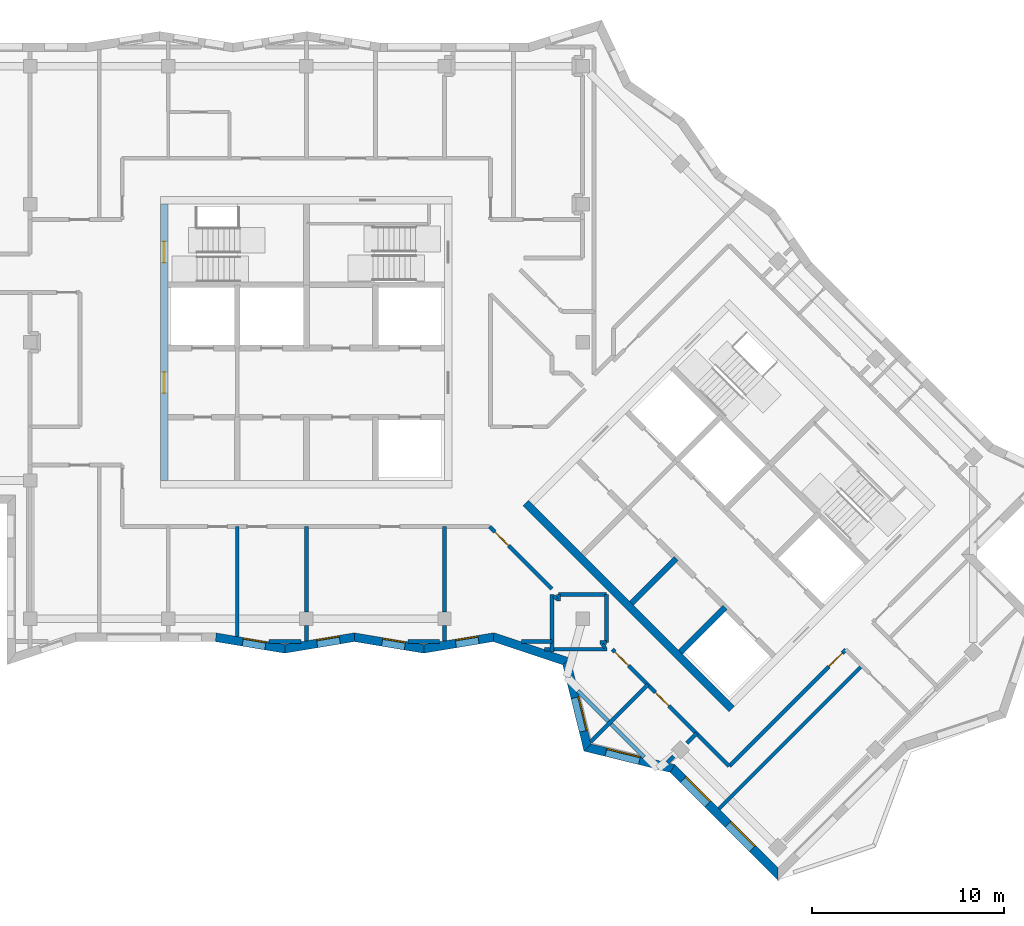
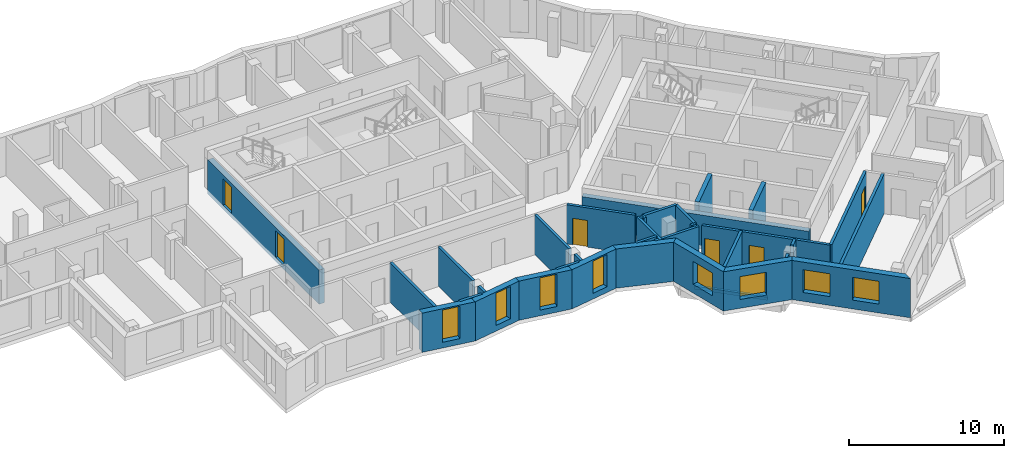
# One storey, part 3 of 12: 36 walls, 8 windows, 6 doors, 14 openings.
"""IFC4 building model written with IfcOpenShell, lengths in metres."""

from ifc_helpers import new_model, si_unit, direction, frame, frame_2d, origin, place, context, subcontext, project, spatial, polyline, rectangle, outline, extrude, material, layer, layer_set, type_object, element, fill, save


model = new_model("IFC4")

# Units and contexts
model_context = context("Model", 3, precision=1e-05, world=origin(), true_north=direction((0.0, 1.0)))
body_context = subcontext(model_context, "Body", "Model", "MODEL_VIEW")
ifc_project = project(units=[si_unit("LENGTHUNIT", "METRE"), si_unit("AREAUNIT", "SQUARE_METRE"), si_unit("VOLUMEUNIT", "CUBIC_METRE"), si_unit("PLANEANGLEUNIT", "RADIAN"), si_unit("MASSUNIT", "GRAM", prefix="KILO")], contexts=[model_context])

# Site, building, storey
site_placement = place(None, origin())
site = spatial("IfcSite", under=ifc_project, at=site_placement, CompositionType="ELEMENT")
building_placement = place(site_placement, origin())
building = spatial("IfcBuilding", under=site, at=building_placement, Name="Windrow Commons", CompositionType="ELEMENT")
storey_placement = place(building_placement, frame((0.0, 0.0, 277.8)))
storey = spatial("IfcBuildingStorey", under=building, at=storey_placement, Name="L76", CompositionType="ELEMENT", Elevation=277.8)

# Wall, opening, window
ifc_material_1 = material(Name="Brick masonry, red clay brick", Category="masonry")
ifc_layer_1 = layer(ifc_material_1, 0.45)
ifc_layer_set_1 = layer_set([ifc_layer_1], Name="Brick facade wall 450")
wall_type_1 = type_object("IfcWallType", Name="Brick facade wall 450", PredefinedType="SOLIDWALL", material=ifc_layer_set_1)
wall_1_placement = place(storey_placement, frame((60.0782, 42.225, 0.0), z_axis=(0.0, 0.0, 1.0), x_axis=(0.9864079855, -0.1643145949, 0.0)))
wall_1 = element("IfcWall", 1, at=wall_1_placement, inside=storey, type_object=wall_type_1, Name="Brick facade wall L76 34", PredefinedType="SOLIDWALL", context=body_context, shape_type="SweptSolid", body=[
    extrude(outline(polyline([(0.0186, -0.225), (3.6884, -0.225), (3.6134, 0.225), (-0.0186, 0.225), (0.0186, -0.225)])), origin(), (0.0, 0.0, 1.0), 3.1),
])
opening_1_placement = place(wall_1_placement, frame((1.4253, 0.0, 0.45)))
opening_1 = element("IfcOpeningElement", 2, at=opening_1_placement, cuts=wall_1, Name="Opening W7F", PredefinedType="OPENING", context=body_context, shape_type="SweptSolid", body=[
    extrude(rectangle(XDim=1.2, YDim=2.55, at=frame_2d((0.6, 1.275))), frame((0.0, 0.235, 0.0), z_axis=(0.0, -1.0, 0.0), x_axis=(1.0, 0.0, 0.0)), (0.0, 0.0, 1.0), 0.47),
])
ifc_material_2 = material(Name="Clear float glass in anodised aluminium frame", Category="aluminium")
window_type_1 = type_object("IfcWindowType", Name="Window W7 notch 1200x2550", PartitioningType="SINGLE_PANEL", PredefinedType="WINDOW", material=ifc_material_2)
window_1_placement = place(opening_1_placement, origin())
window_1 = element("IfcWindow", 3, at=window_1_placement, inside=storey, type_object=window_type_1, Name="Window L76 34.1", OverallHeight=2.55, OverallWidth=1.2, PartitioningType="SINGLE_PANEL", PredefinedType="WINDOW", context=body_context, shape_type="SweptSolid", body=[
    extrude(rectangle(XDim=1.2, YDim=2.55, at=frame_2d((0.6, 1.275))), frame((0.0, 0.205, 0.0), z_axis=(0.0, -1.0, 0.0), x_axis=(1.0, 0.0, 0.0)), (0.0, 0.0, 1.0), 0.06),
])
fill(opening_1, window_1)

wall_2_placement = place(storey_placement, frame((63.6795, 41.6251, 0.0), z_axis=(0.0, 0.0, 1.0), x_axis=(0.9864071775, 0.1643194453, 0.0)))
wall_2 = element("IfcWall", 4, at=wall_2_placement, inside=storey, type_object=wall_type_1, Name="Brick facade wall L76 35", PredefinedType="SOLIDWALL", context=body_context, shape_type="SweptSolid", body=[
    extrude(outline(polyline([(-0.0375, -0.225), (3.6323, -0.225), (3.7072, 0.225), (0.0375, 0.225), (-0.0375, -0.225)])), origin(), (0.0, 0.0, 1.0), 3.1),
])
opening_2_placement = place(wall_2_placement, frame((1.7029, 0.0, 0.45)))
opening_2 = element("IfcOpeningElement", 5, at=opening_2_placement, cuts=wall_2, Name="Opening W7F", PredefinedType="OPENING", context=body_context, shape_type="SweptSolid", body=[
    extrude(rectangle(XDim=1.2, YDim=2.55, at=frame_2d((0.6, 1.275))), frame((0.0, 0.235, 0.0), z_axis=(0.0, -1.0, 0.0), x_axis=(1.0, 0.0, 0.0)), (0.0, 0.0, 1.0), 0.47),
])
window_2_placement = place(opening_2_placement, origin())
window_2 = element("IfcWindow", 6, at=window_2_placement, inside=storey, type_object=window_type_1, Name="Window L76 35.1", OverallHeight=2.55, OverallWidth=1.2, PartitioningType="SINGLE_PANEL", PredefinedType="WINDOW", context=body_context, shape_type="SweptSolid", body=[
    extrude(rectangle(XDim=1.2, YDim=2.55, at=frame_2d((0.6, 1.275))), frame((0.0, 0.205, 0.0), z_axis=(0.0, -1.0, 0.0), x_axis=(1.0, 0.0, 0.0)), (0.0, 0.0, 1.0), 0.06),
])
fill(opening_2, window_2)

wall_3_placement = place(storey_placement, frame((67.2993, 42.2281, 0.0), z_axis=(0.0, 0.0, 1.0), x_axis=(0.9864079133, -0.1643150285, 0.0)))
wall_3 = element("IfcWall", 7, at=wall_3_placement, inside=storey, type_object=wall_type_1, Name="Brick facade wall L76 36", PredefinedType="SOLIDWALL", context=body_context, shape_type="SweptSolid", body=[
    extrude(outline(polyline([(0.0375, -0.225), (3.7072, -0.225), (3.6323, 0.225), (-0.0375, 0.225), (0.0375, -0.225)])), origin(), (0.0, 0.0, 1.0), 3.1),
])
opening_3_placement = place(wall_3_placement, frame((1.4741, 0.0, 0.45)))
opening_3 = element("IfcOpeningElement", 8, at=opening_3_placement, cuts=wall_3, Name="Opening W7F", PredefinedType="OPENING", context=body_context, shape_type="SweptSolid", body=[
    extrude(rectangle(XDim=1.2, YDim=2.55, at=frame_2d((0.6, 1.275))), frame((0.0, 0.235, 0.0), z_axis=(0.0, -1.0, 0.0), x_axis=(1.0, 0.0, 0.0)), (0.0, 0.0, 1.0), 0.47),
])
window_3_placement = place(opening_3_placement, origin())
window_3 = element("IfcWindow", 9, at=window_3_placement, inside=storey, type_object=window_type_1, Name="Window L76 36.1", OverallHeight=2.55, OverallWidth=1.2, PartitioningType="SINGLE_PANEL", PredefinedType="WINDOW", context=body_context, shape_type="SweptSolid", body=[
    extrude(rectangle(XDim=1.2, YDim=2.55, at=frame_2d((0.6, 1.275))), frame((0.0, 0.205, 0.0), z_axis=(0.0, -1.0, 0.0), x_axis=(1.0, 0.0, 0.0)), (0.0, 0.0, 1.0), 0.06),
])
fill(opening_3, window_3)

wall_4_placement = place(storey_placement, frame((70.9192, 41.6251, 0.0), z_axis=(0.0, 0.0, 1.0), x_axis=(0.9864078441, 0.1643154439, 0.0)))
wall_4 = element("IfcWall", 10, at=wall_4_placement, inside=storey, type_object=wall_type_1, Name="Brick facade wall L76 37", PredefinedType="SOLIDWALL", context=body_context, shape_type="SweptSolid", body=[
    extrude(outline(polyline([(-0.0375, -0.225), (3.6323, -0.225), (3.7438, 0.225), (0.0375, 0.225), (-0.0375, -0.225)])), origin(), (0.0, 0.0, 1.0), 3.1),
])
opening_4_placement = place(wall_4_placement, frame((1.6919, 0.0, 0.45)))
opening_4 = element("IfcOpeningElement", 11, at=opening_4_placement, cuts=wall_4, Name="Opening W7F", PredefinedType="OPENING", context=body_context, shape_type="SweptSolid", body=[
    extrude(rectangle(XDim=1.2, YDim=2.55, at=frame_2d((0.6, 1.275))), frame((0.0, 0.235, 0.0), z_axis=(0.0, -1.0, 0.0), x_axis=(1.0, 0.0, 0.0)), (0.0, 0.0, 1.0), 0.47),
])
window_4_placement = place(opening_4_placement, origin())
window_4 = element("IfcWindow", 12, at=window_4_placement, inside=storey, type_object=window_type_1, Name="Window L76 37.1", OverallHeight=2.55, OverallWidth=1.2, PartitioningType="SINGLE_PANEL", PredefinedType="WINDOW", context=body_context, shape_type="SweptSolid", body=[
    extrude(rectangle(XDim=1.2, YDim=2.55, at=frame_2d((0.6, 1.275))), frame((0.0, 0.205, 0.0), z_axis=(0.0, -1.0, 0.0), x_axis=(1.0, 0.0, 0.0)), (0.0, 0.0, 1.0), 0.06),
])
fill(opening_4, window_4)

# Wall
wall_5_placement = place(storey_placement, frame((74.5571, 42.2311, 0.0), z_axis=(0.0, 0.0, 1.0), x_axis=(0.9489708056, -0.3153639328, 0.0)))
element("IfcWall", 13, at=wall_5_placement, inside=storey, type_object=wall_type_1, Name="Brick facade wall L76 38", PredefinedType="SOLIDWALL", context=body_context, shape_type="SweptSolid", body=[
    extrude(outline(polyline([(0.0558, -0.225), (3.8703, -0.225), (4.1186, 0.225), (-0.0558, 0.225), (0.0558, -0.225)])), origin(), (0.0, 0.0, 1.0), 3.1),
])

# Wall, opening, window
wall_6_placement = place(storey_placement, frame((78.3477, 40.9714, 0.0), z_axis=(0.0, 0.0, 1.0), x_axis=(0.239085216, -0.9709985888, 0.0)))
wall_6 = element("IfcWall", 14, at=wall_6_placement, inside=storey, type_object=wall_type_1, Name="Brick facade wall L76 39", PredefinedType="SOLIDWALL", context=body_context, shape_type="SweptSolid", body=[
    extrude(outline(polyline([(0.1242, -0.225), (4.7616, -0.225), (4.4894, 0.225), (-0.1242, 0.225), (0.1242, -0.225)])), origin(), (0.0, 0.0, 1.0), 3.1),
])
opening_5_placement = place(wall_6_placement, frame((1.9509, 0.0, 0.7)))
opening_5 = element("IfcOpeningElement", 15, at=opening_5_placement, cuts=wall_6, Name="Opening W1M", PredefinedType="OPENING", context=body_context, shape_type="SweptSolid", body=[
    extrude(rectangle(XDim=1.8, YDim=1.8, at=frame_2d((0.9, 0.9))), frame((0.0, 0.235, 0.0), z_axis=(0.0, -1.0, 0.0), x_axis=(1.0, 0.0, 0.0)), (0.0, 0.0, 1.0), 0.47),
])
ifc_material_3 = material(Name="Clear float glass in anodised aluminium frame", Category="aluminium")
window_type_2 = type_object("IfcWindowType", Name="Window W1M bedroom 1800x1800", PartitioningType="SINGLE_PANEL", PredefinedType="WINDOW", material=ifc_material_3)
window_5_placement = place(opening_5_placement, origin())
window_5 = element("IfcWindow", 16, at=window_5_placement, inside=storey, type_object=window_type_2, Name="Window L76 39.1", OverallHeight=1.8, OverallWidth=1.8, PartitioningType="SINGLE_PANEL", PredefinedType="WINDOW", context=body_context, shape_type="SweptSolid", body=[
    extrude(rectangle(XDim=1.8, YDim=1.8, at=frame_2d((0.9, 0.9))), frame((0.0, 0.205, 0.0), z_axis=(0.0, -1.0, 0.0), x_axis=(1.0, 0.0, 0.0)), (0.0, 0.0, 1.0), 0.06),
])
fill(opening_5, window_5)

wall_7_placement = place(storey_placement, frame((79.4536, 36.48, 0.0), z_axis=(0.0, 0.0, 1.0), x_axis=(0.9709986041, -0.239085154, 0.0)))
wall_7 = element("IfcWall", 17, at=wall_7_placement, inside=storey, type_object=wall_type_1, Name="Brick facade wall L76 40", PredefinedType="SOLIDWALL", context=body_context, shape_type="SweptSolid", body=[
    extrude(outline(polyline([(-0.1361, -0.225), (4.5013, -0.225), (4.6268, 0.225), (0.1361, 0.225), (-0.1361, -0.225)])), origin(), (0.0, 0.0, 1.0), 3.1),
])
opening_6_placement = place(wall_7_placement, frame((0.9912, 0.0, 0.7)))
opening_6 = element("IfcOpeningElement", 18, at=opening_6_placement, cuts=wall_7, Name="Opening W1M", PredefinedType="OPENING", context=body_context, shape_type="SweptSolid", body=[
    extrude(rectangle(XDim=1.8, YDim=1.8, at=frame_2d((0.9, 0.9))), frame((0.0, 0.235, 0.0), z_axis=(0.0, -1.0, 0.0), x_axis=(1.0, 0.0, 0.0)), (0.0, 0.0, 1.0), 0.47),
])
window_6_placement = place(opening_6_placement, origin())
window_6 = element("IfcWindow", 19, at=window_6_placement, inside=storey, type_object=window_type_2, Name="Window L76 40.1", OverallHeight=1.8, OverallWidth=1.8, PartitioningType="SINGLE_PANEL", PredefinedType="WINDOW", context=body_context, shape_type="SweptSolid", body=[
    extrude(rectangle(XDim=1.8, YDim=1.8, at=frame_2d((0.9, 0.9))), frame((0.0, 0.205, 0.0), z_axis=(0.0, -1.0, 0.0), x_axis=(1.0, 0.0, 0.0)), (0.0, 0.0, 1.0), 0.06),
])
fill(opening_6, window_6)

# Wall, openings, windows
wall_8_placement = place(storey_placement, frame((83.8853, 35.3888, 0.0), z_axis=(0.0, 0.0, 1.0), x_axis=(0.7071067812, -0.7071067812, 0.0)))
wall_8 = element("IfcWall", 20, at=wall_8_placement, inside=storey, type_object=wall_type_1, Name="Brick facade wall L76 41", PredefinedType="SOLIDWALL", context=body_context, shape_type="SweptSolid", body=[
    extrude(outline(polyline([(0.0628, -0.225), (7.9989, -0.225), (7.5489, 0.225), (-0.0628, 0.225), (0.0628, -0.225)])), origin(), (0.0, 0.0, 1.0), 3.1),
])
opening_7_placement = place(wall_8_placement, frame((0.7995, 0.0, 0.7)))
opening_7 = element("IfcOpeningElement", 21, at=opening_7_placement, cuts=wall_8, Name="Opening W1M", PredefinedType="OPENING", context=body_context, shape_type="SweptSolid", body=[
    extrude(rectangle(XDim=1.8, YDim=1.8, at=frame_2d((0.9, 0.9))), frame((0.0, 0.235, 0.0), z_axis=(0.0, -1.0, 0.0), x_axis=(1.0, 0.0, 0.0)), (0.0, 0.0, 1.0), 0.47),
])
opening_8_placement = place(wall_8_placement, frame((4.0989, 0.0, 0.7)))
opening_8 = element("IfcOpeningElement", 22, at=opening_8_placement, cuts=wall_8, Name="Opening W1M", PredefinedType="OPENING", context=body_context, shape_type="SweptSolid", body=[
    extrude(rectangle(XDim=1.8, YDim=1.8, at=frame_2d((0.9, 0.9))), frame((0.0, 0.235, 0.0), z_axis=(0.0, -1.0, 0.0), x_axis=(1.0, 0.0, 0.0)), (0.0, 0.0, 1.0), 0.47),
])
window_7_placement = place(opening_7_placement, origin())
window_7 = element("IfcWindow", 23, at=window_7_placement, inside=storey, type_object=window_type_2, Name="Window L76 41.1", OverallHeight=1.8, OverallWidth=1.8, PartitioningType="SINGLE_PANEL", PredefinedType="WINDOW", context=body_context, shape_type="SweptSolid", body=[
    extrude(rectangle(XDim=1.8, YDim=1.8, at=frame_2d((0.9, 0.9))), frame((0.0, 0.205, 0.0), z_axis=(0.0, -1.0, 0.0), x_axis=(1.0, 0.0, 0.0)), (0.0, 0.0, 1.0), 0.06),
])
fill(opening_7, window_7)
window_8_placement = place(opening_8_placement, origin())
window_8 = element("IfcWindow", 24, at=window_8_placement, inside=storey, type_object=window_type_2, Name="Window L76 41.2", OverallHeight=1.8, OverallWidth=1.8, PartitioningType="SINGLE_PANEL", PredefinedType="WINDOW", context=body_context, shape_type="SweptSolid", body=[
    extrude(rectangle(XDim=1.8, YDim=1.8, at=frame_2d((0.9, 0.9))), frame((0.0, 0.205, 0.0), z_axis=(0.0, -1.0, 0.0), x_axis=(1.0, 0.0, 0.0)), (0.0, 0.0, 1.0), 0.06),
])
fill(opening_8, window_8)

# Wall, openings, doors
ifc_material_4 = material(Name="Blockwork partition", Category="masonry")
ifc_layer_2 = layer(ifc_material_4, 0.2)
ifc_layer_set_2 = layer_set([ifc_layer_2], Name="IW-CORRIDOR-200")
wall_type_2 = type_object("IfcWallType", Name="IW-CORRIDOR-200", PredefinedType="PARTITIONING", material=ifc_layer_set_2)
wall_9_placement = place(storey_placement, frame((80.7468, 41.5968, 0.0), z_axis=(0.0, 0.0, 1.0), x_axis=(0.7071067812, -0.7071067812, 0.0)))
wall_9 = element("IfcWall", 25, at=wall_9_placement, inside=storey, type_object=wall_type_2, Name="W-L76-W012", PredefinedType="PARTITIONING", context=body_context, shape_type="SweptSolid", body=[
    extrude(rectangle(XDim=8.6069, YDim=0.2, at=frame_2d((4.3034, 0.0))), origin(), (0.0, 0.0, 1.0), 3.1),
])
opening_9_placement = place(wall_9_placement, frame((0.1948, 0.0, 0.0)))
opening_9 = element("IfcOpeningElement", 26, at=opening_9_placement, cuts=wall_9, Name="Opening D310F", PredefinedType="OPENING", context=body_context, shape_type="SweptSolid", body=[
    extrude(rectangle(XDim=1.0, YDim=2.1, at=frame_2d((0.5, 1.05))), frame((0.0, 0.11, 0.0), z_axis=(0.0, -1.0, 0.0), x_axis=(1.0, 0.0, 0.0)), (0.0, 0.0, 1.0), 0.22),
])
opening_10_placement = place(wall_9_placement, frame((3.1754, 0.0, 0.0)))
opening_10 = element("IfcOpeningElement", 27, at=opening_10_placement, cuts=wall_9, Name="Opening D410F", PredefinedType="OPENING", context=body_context, shape_type="SweptSolid", body=[
    extrude(rectangle(XDim=1.0, YDim=2.1, at=frame_2d((0.5, 1.05))), frame((0.0, 0.11, 0.0), z_axis=(0.0, -1.0, 0.0), x_axis=(1.0, 0.0, 0.0)), (0.0, 0.0, 1.0), 0.22),
])
ifc_material_5 = material(Name="Timber door leaf", Category="wood")
door_type_1 = type_object("IfcDoorType", Name="DT-AMENITY-1000", OperationType="SINGLE_SWING_LEFT", PredefinedType="DOOR", material=ifc_material_5)
door_1_placement = place(opening_9_placement, origin())
door_1 = element("IfcDoor", 28, at=door_1_placement, inside=storey, type_object=door_type_1, Name="D-L76-D034", OperationType="SINGLE_SWING_LEFT", OverallHeight=2.1, OverallWidth=1.0, PredefinedType="DOOR", context=body_context, shape_type="SweptSolid", body=[
    extrude(rectangle(XDim=1.0, YDim=2.1, at=frame_2d((0.5, 1.05))), frame((0.0, 0.025, 0.0), z_axis=(0.0, -1.0, 0.0), x_axis=(1.0, 0.0, 0.0)), (0.0, 0.0, 1.0), 0.05),
])
fill(opening_9, door_1)
ifc_material_6 = material(Name="Timber door leaf", Category="wood")
door_type_2 = type_object("IfcDoorType", Name="DT-SERVICE-1000", OperationType="SINGLE_SWING_LEFT", PredefinedType="DOOR", material=ifc_material_6)
door_2_placement = place(opening_10_placement, origin())
door_2 = element("IfcDoor", 29, at=door_2_placement, inside=storey, type_object=door_type_2, Name="D-L76-D035", OperationType="SINGLE_SWING_LEFT", OverallHeight=2.1, OverallWidth=1.0, PredefinedType="DOOR", context=body_context, shape_type="SweptSolid", body=[
    extrude(rectangle(XDim=1.0, YDim=2.1, at=frame_2d((0.5, 1.05))), frame((0.0, 0.025, 0.0), z_axis=(0.0, -1.0, 0.0), x_axis=(1.0, 0.0, 0.0)), (0.0, 0.0, 1.0), 0.05),
])
fill(opening_10, door_2)

# Wall, opening, door
wall_10_placement = place(storey_placement, frame((86.8389, 35.5111, 0.0), z_axis=(0.0, 0.0, 1.0), x_axis=(0.707223053, 0.7069904903, 0.0)))
wall_10 = element("IfcWall", 30, at=wall_10_placement, inside=storey, type_object=wall_type_2, Name="W-L76-W014", PredefinedType="PARTITIONING", context=body_context, shape_type="SweptSolid", body=[
    extrude(rectangle(XDim=8.5998, YDim=0.2, at=frame_2d((4.2999, 0.0))), origin(), (0.0, 0.0, 1.0), 3.1),
])
opening_11_placement = place(wall_10_placement, frame((7.3425, 0.0, 0.0)))
opening_11 = element("IfcOpeningElement", 31, at=opening_11_placement, cuts=wall_10, Name="Opening D310F", PredefinedType="OPENING", context=body_context, shape_type="SweptSolid", body=[
    extrude(rectangle(XDim=1.0, YDim=2.1, at=frame_2d((0.5, 1.05))), frame((0.0, 0.11, 0.0), z_axis=(0.0, -1.0, 0.0), x_axis=(1.0, 0.0, 0.0)), (0.0, 0.0, 1.0), 0.22),
])
door_3_placement = place(opening_11_placement, origin())
door_3 = element("IfcDoor", 32, at=door_3_placement, inside=storey, type_object=door_type_1, Name="D-L76-D037", OperationType="SINGLE_SWING_RIGHT", OverallHeight=2.1, OverallWidth=1.0, PredefinedType="DOOR", context=body_context, shape_type="SweptSolid", body=[
    extrude(rectangle(XDim=1.0, YDim=2.1, at=frame_2d((0.5, 1.05))), frame((0.0, 0.025, 0.0), z_axis=(0.0, -1.0, 0.0), x_axis=(1.0, 0.0, 0.0)), (0.0, 0.0, 1.0), 0.05),
])
fill(opening_11, door_3)

wall_11_placement = place(storey_placement, frame((74.3468, 47.9968, 0.0), z_axis=(0.0, 0.0, 1.0), x_axis=(0.7071067812, -0.7071067812, 0.0)))
wall_11 = element("IfcWall", 33, at=wall_11_placement, inside=storey, type_object=wall_type_2, Name="W-L76-W039", PredefinedType="PARTITIONING", context=body_context, shape_type="SweptSolid", body=[
    extrude(rectangle(XDim=4.5962, YDim=0.2, at=frame_2d((2.2981, 0.0))), origin(), (0.0, 0.0, 1.0), 3.1),
])
opening_12_placement = place(wall_11_placement, frame((0.4007, 0.0, 0.0)))
opening_12 = element("IfcOpeningElement", 34, at=opening_12_placement, cuts=wall_11, Name="Opening D310F", PredefinedType="OPENING", context=body_context, shape_type="SweptSolid", body=[
    extrude(rectangle(XDim=1.0, YDim=2.1, at=frame_2d((0.5, 1.05))), frame((0.0, 0.11, 0.0), z_axis=(0.0, -1.0, 0.0), x_axis=(1.0, 0.0, 0.0)), (0.0, 0.0, 1.0), 0.22),
])
door_4_placement = place(opening_12_placement, origin())
door_4 = element("IfcDoor", 35, at=door_4_placement, inside=storey, type_object=door_type_1, Name="D-L76-D027", OperationType="SINGLE_SWING_LEFT", OverallHeight=2.1, OverallWidth=1.0, PredefinedType="DOOR", context=body_context, shape_type="SweptSolid", body=[
    extrude(rectangle(XDim=1.0, YDim=2.1, at=frame_2d((0.5, 1.05))), frame((0.0, 0.025, 0.0), z_axis=(0.0, -1.0, 0.0), x_axis=(1.0, 0.0, 0.0)), (0.0, 0.0, 1.0), 0.05),
])
fill(opening_12, door_4)

# Walls
for number, where, z_axis, x_axis, name in (
    (36, (80.45, 41.952, 0.0), (0.0, 0.0, 1.0), (0.0, 1.0, 0.0), "W-L76-W069"),
    (37, (77.952, 44.45, 0.0), (0.0, 0.0, 1.0), (1.0, 0.0, 0.0), "W-L76-W070"),
):
    element("IfcWall", number, at=place(storey_placement, frame(where, z_axis=z_axis, x_axis=x_axis)), inside=storey, type_object=wall_type_2, Name=name, PredefinedType="PARTITIONING", context=body_context, shape_type="SweptSolid", body=[
        extrude(rectangle(XDim=2.498, YDim=0.2, at=frame_2d((1.249, 0.0))), origin(), (0.0, 0.0, 1.0), 3.1),
    ])
for number, where, z_axis, x_axis, name in (
    (38, (80.2205, 41.8545, 0.0), (0.0, 0.0, 1.0), (0.7068844555, -0.707329037, 0.0), "W-L76-W128"),
    (39, (77.6954, 44.3795, 0.0), (0.0, 0.0, 1.0), (0.707329037, -0.7068844555, 0.0), "W-L76-W129"),
):
    element("IfcWall", number, at=place(storey_placement, frame(where, z_axis=z_axis, x_axis=x_axis)), inside=storey, type_object=wall_type_2, Name=name, PredefinedType="PARTITIONING", context=body_context, shape_type="SweptSolid", body=[
        extrude(rectangle(XDim=0.2249, YDim=0.2, at=frame_2d((0.1124, 0.0))), origin(), (0.0, 0.0, 1.0), 3.1),
    ])
for number, where, z_axis, x_axis, name in (
    (40, (80.118, 41.95, 0.0), (0.0, 0.0, 1.0), (1.0, 0.0, 0.0), "W-L76-W147"),
    (41, (77.95, 44.118, 0.0), (0.0, 0.0, 1.0), (0.0, 1.0, 0.0), "W-L76-W148"),
):
    element("IfcWall", number, at=place(storey_placement, frame(where, z_axis=z_axis, x_axis=x_axis)), inside=storey, type_object=wall_type_2, Name=name, PredefinedType="PARTITIONING", context=body_context, shape_type="SweptSolid", body=[
        extrude(rectangle(XDim=0.332, YDim=0.2, at=frame_2d((0.166, 0.0))), origin(), (0.0, 0.0, 1.0), 3.1),
    ])
ifc_material_7 = material(Name="Blockwork partition", Category="masonry")
ifc_layer_3 = layer(ifc_material_7, 0.2)
ifc_layer_set_3 = layer_set([ifc_layer_3], Name="IW-PARTY-200")
wall_type_3 = type_object("IfcWallType", Name="IW-PARTY-200", PredefinedType="PARTITIONING", material=ifc_layer_set_3)
wall_12_placement = place(storey_placement, frame((86.3056, 33.2867, 0.0), z_axis=(0.0, 0.0, 1.0), x_axis=(0.7071020418, 0.7071115206, 0.0)))
element("IfcWall", 42, at=wall_12_placement, inside=storey, type_object=wall_type_3, Name="W-L76-W006", PredefinedType="PARTITIONING", context=body_context, shape_type="SweptSolid", body=[
    extrude(rectangle(XDim=10.5498, YDim=0.2, at=frame_2d((5.2749, 0.0))), origin(), (0.0, 0.0, 1.0), 3.1),
])
wall_13_placement = place(storey_placement, frame((61.2, 42.2662, 0.0), z_axis=(0.0, 0.0, 1.0), x_axis=(0.0, 1.0, 0.0)))
element("IfcWall", 43, at=wall_13_placement, inside=storey, type_object=wall_type_3, Name="W-L76-W029", PredefinedType="PARTITIONING", context=body_context, shape_type="SweptSolid", body=[
    extrude(rectangle(XDim=5.7338, YDim=0.2, at=frame_2d((2.8669, 0.0))), origin(), (0.0, 0.0, 1.0), 3.1),
])
for number, where, z_axis, x_axis, name in (
    (44, (64.8, 43.55, 0.0), (0.0, 0.0, 1.0), (0.0, 1.0, 0.0), "W-L76-W041"),
    (45, (72.0, 43.55, 0.0), (0.0, 0.0, 1.0), (0.0, 1.0, 0.0), "W-L76-W043"),
):
    element("IfcWall", number, at=place(storey_placement, frame(where, z_axis=z_axis, x_axis=x_axis)), inside=storey, type_object=wall_type_3, Name=name, PredefinedType="PARTITIONING", context=body_context, shape_type="SweptSolid", body=[
        extrude(rectangle(XDim=4.45, YDim=0.2, at=frame_2d((2.225, 0.0))), origin(), (0.0, 0.0, 1.0), 3.1),
    ])
wall_14_placement = place(storey_placement, frame((79.6125, 36.776, 0.0), z_axis=(0.0, 0.0, 1.0), x_axis=(0.7071186423, 0.7070949199, 0.0)))
element("IfcWall", 46, at=wall_14_placement, inside=storey, type_object=wall_type_3, Name="W-L76-W049", PredefinedType="PARTITIONING", context=body_context, shape_type="SweptSolid", body=[
    extrude(rectangle(XDim=4.2154, YDim=0.2, at=frame_2d((2.1077, 0.0))), origin(), (0.0, 0.0, 1.0), 3.1),
])
wall_15_placement = place(storey_placement, frame((77.2195, 41.6, 0.0), z_axis=(0.0, 0.0, 1.0), x_axis=(1.0, 0.0, 0.0)))
element("IfcWall", 47, at=wall_15_placement, inside=storey, type_object=wall_type_3, Name="W-L76-W053", PredefinedType="PARTITIONING", context=body_context, shape_type="SweptSolid", body=[
    extrude(rectangle(XDim=3.2485, YDim=0.2, at=frame_2d((1.6242, 0.0))), origin(), (0.0, 0.0, 1.0), 3.1),
])
wall_16_placement = place(storey_placement, frame((77.6, 41.4569, 0.0), z_axis=(0.0, 0.0, 1.0), x_axis=(0.0, 1.0, 0.0)))
element("IfcWall", 48, at=wall_16_placement, inside=storey, type_object=wall_type_3, Name="W-L76-W061", PredefinedType="PARTITIONING", context=body_context, shape_type="SweptSolid", body=[
    extrude(rectangle(XDim=3.0111, YDim=0.2, at=frame_2d((1.5055, 0.0))), origin(), (0.0, 0.0, 1.0), 3.1),
])
for number, where, z_axis, x_axis, name in (
    (49, (70.0879, 42.0, 0.0), (0.0, 0.0, 1.0), (1.0, 0.0, 0.0), "W-L76-W098"),
    (50, (62.8482, 42.0, 0.0), (0.0, 0.0, 1.0), (1.0, 0.0, 0.0), "W-L76-W099"),
):
    element("IfcWall", number, at=place(storey_placement, frame(where, z_axis=z_axis, x_axis=x_axis)), inside=storey, type_object=wall_type_3, Name=name, PredefinedType="PARTITIONING", context=body_context, shape_type="SweptSolid", body=[
        extrude(rectangle(XDim=1.6625, YDim=0.2, at=frame_2d((0.8313, 0.0))), origin(), (0.0, 0.0, 1.0), 3.1),
    ])
wall_17_placement = place(storey_placement, frame((76.0159, 42.0, 0.0), z_axis=(0.0, 0.0, 1.0), x_axis=(1.0, 0.0, 0.0)))
element("IfcWall", 51, at=wall_17_placement, inside=storey, type_object=wall_type_3, Name="W-L76-W102", PredefinedType="PARTITIONING", context=body_context, shape_type="SweptSolid", body=[
    extrude(rectangle(XDim=1.5841, YDim=0.2, at=frame_2d((0.7921, 0.0))), origin(), (0.0, 0.0, 1.0), 3.1),
])
wall_18_placement = place(storey_placement, frame((72.0, 42.0332, 0.0), z_axis=(0.0, 0.0, 1.0), x_axis=(0.0, 1.0, 0.0)))
element("IfcWall", 52, at=wall_18_placement, inside=storey, type_object=wall_type_3, Name="W-L76-W116", PredefinedType="PARTITIONING", context=body_context, shape_type="SweptSolid", body=[
    extrude(rectangle(XDim=0.8168, YDim=0.2, at=frame_2d((0.4084, 0.0))), origin(), (0.0, 0.0, 1.0), 3.1),
])
wall_19_placement = place(storey_placement, frame((64.8, 42.0399, 0.0), z_axis=(0.0, 0.0, 1.0), x_axis=(0.0, 1.0, 0.0)))
element("IfcWall", 53, at=wall_19_placement, inside=storey, type_object=wall_type_3, Name="W-L76-W117", PredefinedType="PARTITIONING", context=body_context, shape_type="SweptSolid", body=[
    extrude(rectangle(XDim=0.8101, YDim=0.2, at=frame_2d((0.4051, 0.0))), origin(), (0.0, 0.0, 1.0), 3.1),
])
wall_20_placement = place(storey_placement, frame((84.6408, 36.7132, 0.0), z_axis=(0.0, 0.0, 1.0), x_axis=(0.7071067812, 0.7071067812, 0.0)))
element("IfcWall", 54, at=wall_20_placement, inside=storey, type_object=wall_type_3, Name="W-L76-W120", PredefinedType="PARTITIONING", context=body_context, shape_type="SweptSolid", body=[
    extrude(rectangle(XDim=0.7043, YDim=0.2, at=frame_2d((0.3522, 0.0))), origin(), (0.0, 0.0, 1.0), 3.1),
])
wall_21_placement = place(storey_placement, frame((83.6148, 35.6871, 0.0), z_axis=(0.0, 0.0, 1.0), x_axis=(0.7069983375, 0.7072152082, 0.0)))
element("IfcWall", 55, at=wall_21_placement, inside=storey, type_object=wall_type_3, Name="W-L76-W141", PredefinedType="PARTITIONING", context=body_context, shape_type="SweptSolid", body=[
    extrude(rectangle(XDim=0.4611, YDim=0.2, at=frame_2d((0.2306, 0.0))), origin(), (0.0, 0.0, 1.0), 3.1),
])

# Wall, openings, doors
ifc_material_8 = material(Name="Concrete C40/50", Category="concrete")
ifc_layer_4 = layer(ifc_material_8, 0.4)
ifc_layer_set_4 = layer_set([ifc_layer_4], Name="RC CORE WALL 400 C40/50")
wall_type_4 = type_object("IfcWallType", Name="RC CORE WALL 400 C40/50", PredefinedType="SHEAR", material=ifc_layer_set_4)
wall_22_placement = place(storey_placement, frame((57.4, 50.4, -0.3), z_axis=(0.0, 0.0, 1.0), x_axis=(0.0, 1.0, 0.0)))
wall_22 = element("IfcWall", 56, at=wall_22_placement, inside=storey, type_object=wall_type_4, Name="Core A wall outer-W", PredefinedType="SHEAR", context=body_context, shape_type="SweptSolid", body=[
    extrude(rectangle(XDim=14.4, YDim=0.4, at=frame_2d((7.2, 0.0))), origin(), (0.0, 0.0, 1.0), 2.7),
])
opening_13_placement = place(wall_22_placement, frame((4.55, 0.0, 0.3)))
opening_13 = element("IfcOpeningElement", 57, at=opening_13_placement, cuts=wall_22, Name="Opening D6", PredefinedType="OPENING", context=body_context, shape_type="SweptSolid", body=[
    extrude(rectangle(XDim=1.1, YDim=2.1, at=frame_2d((0.55, 1.05))), frame((0.0, 0.21, 0.0), z_axis=(0.0, -1.0, 0.0), x_axis=(1.0, 0.0, 0.0)), (0.0, 0.0, 1.0), 0.42),
])
opening_14_placement = place(wall_22_placement, frame((11.35, 0.0, 0.3)))
opening_14 = element("IfcOpeningElement", 58, at=opening_14_placement, cuts=wall_22, Name="Opening D7", PredefinedType="OPENING", context=body_context, shape_type="SweptSolid", body=[
    extrude(rectangle(XDim=1.1, YDim=2.1, at=frame_2d((0.55, 1.05))), frame((0.0, 0.21, 0.0), z_axis=(0.0, -1.0, 0.0), x_axis=(1.0, 0.0, 0.0)), (0.0, 0.0, 1.0), 0.42),
])
ifc_material_9 = material(Name="Steel fire door leaf", Category="steel")
door_type_3 = type_object("IfcDoorType", Name="Core lobby door 1100", OperationType="SINGLE_SWING_LEFT", PredefinedType="DOOR", material=ifc_material_9)
door_5_placement = place(opening_13_placement, origin())
door_5 = element("IfcDoor", 59, at=door_5_placement, inside=storey, type_object=door_type_3, Name="Lift lobby door", OperationType="DOUBLE_DOOR_SINGLE_SWING", OverallHeight=2.1, OverallWidth=1.1, PredefinedType="DOOR", context=body_context, shape_type="SweptSolid", body=[
    extrude(rectangle(XDim=1.1, YDim=2.1, at=frame_2d((0.55, 1.05))), frame((0.0, 0.025, 0.0), z_axis=(0.0, -1.0, 0.0), x_axis=(1.0, 0.0, 0.0)), (0.0, 0.0, 1.0), 0.05),
])
fill(opening_13, door_5)
ifc_material_10 = material(Name="Steel fire door leaf", Category="steel")
door_type_4 = type_object("IfcDoorType", Name="Stair door 1100", OperationType="SINGLE_SWING_LEFT", PredefinedType="DOOR", material=ifc_material_10)
door_6_placement = place(opening_14_placement, origin())
door_6 = element("IfcDoor", 60, at=door_6_placement, inside=storey, type_object=door_type_4, Name="Stair door", OperationType="SINGLE_SWING_LEFT", OverallHeight=2.1, OverallWidth=1.1, PredefinedType="DOOR", context=body_context, shape_type="SweptSolid", body=[
    extrude(rectangle(XDim=1.1, YDim=2.1, at=frame_2d((0.55, 1.05))), frame((0.0, 0.025, 0.0), z_axis=(0.0, -1.0, 0.0), x_axis=(1.0, 0.0, 0.0)), (0.0, 0.0, 1.0), 0.05),
])
fill(opening_14, door_6)

# Walls
wall_23_placement = place(storey_placement, frame((76.2302, 49.2312, -0.3), z_axis=(0.0, 0.0, 1.0), x_axis=(0.7071034917, -0.7071100706, 0.0)))
element("IfcWall", 61, at=wall_23_placement, inside=storey, type_object=wall_type_4, Name="Core B wall outer-S", PredefinedType="SHEAR", context=body_context, shape_type="SweptSolid", body=[
    extrude(rectangle(XDim=15.2, YDim=0.4, at=frame_2d((7.6, 0.0))), origin(), (0.0, 0.0, 1.0), 2.7),
])
ifc_material_11 = material(Name="Concrete C40/50", Category="concrete")
ifc_layer_5 = layer(ifc_material_11, 0.3)
ifc_layer_set_5 = layer_set([ifc_layer_5], Name="RC SHAFT WALL 300 C40/50")
wall_type_5 = type_object("IfcWallType", Name="RC SHAFT WALL 300 C40/50", PredefinedType="SOLIDWALL", material=ifc_layer_set_5)
for number, where, z_axis, x_axis, name in (
    (62, (81.7456, 43.9986, 0.0), (0.0, 0.0, 1.0), (0.7071067812, 0.7071067812, 0.0), "Core B wall shaft-S2"),
    (63, (84.2912, 41.453, 0.0), (0.0, 0.0, 1.0), (0.7071067812, 0.7071067812, 0.0), "Core B wall shaft-S3"),
):
    element("IfcWall", number, at=place(storey_placement, frame(where, z_axis=z_axis, x_axis=x_axis)), inside=storey, type_object=wall_type_5, Name=name, PredefinedType="SOLIDWALL", context=body_context, shape_type="SweptSolid", body=[
        extrude(rectangle(XDim=3.2999, YDim=0.3, at=frame_2d((1.65, 0.0))), origin(), (0.0, 0.0, 1.0), 3.1),
    ])
ifc_material_12 = material(Name="Brick masonry, red clay brick", Category="masonry")
ifc_layer_6 = layer(ifc_material_12, 0.2)
ifc_layer_set_6 = layer_set([ifc_layer_6], Name="Terrace edge parapet 200")
wall_type_6 = type_object("IfcWallType", Name="Terrace edge parapet 200", PredefinedType="PARAPET", material=ifc_layer_set_6)
wall_24_placement = place(storey_placement, frame((82.4052, 35.9849, 0.0), z_axis=(0.0, 0.0, 1.0), x_axis=(-0.7071067812, 0.7071067812, 0.0)))
element("IfcWall", 64, at=wall_24_placement, inside=storey, type_object=wall_type_6, Name="Terrace parapet TR-L76-1.1.1", PredefinedType="PARAPET", context=body_context, shape_type="SweptSolid", body=[
    extrude(outline(polyline([(0.0, -0.1), (4.8743, -0.1), (4.8743, 0.1), (0.0, 0.1), (0.0, -0.1)])), origin(), (0.0, 0.0, 1.0), 0.25),
])

save(model, "model.ifc")
